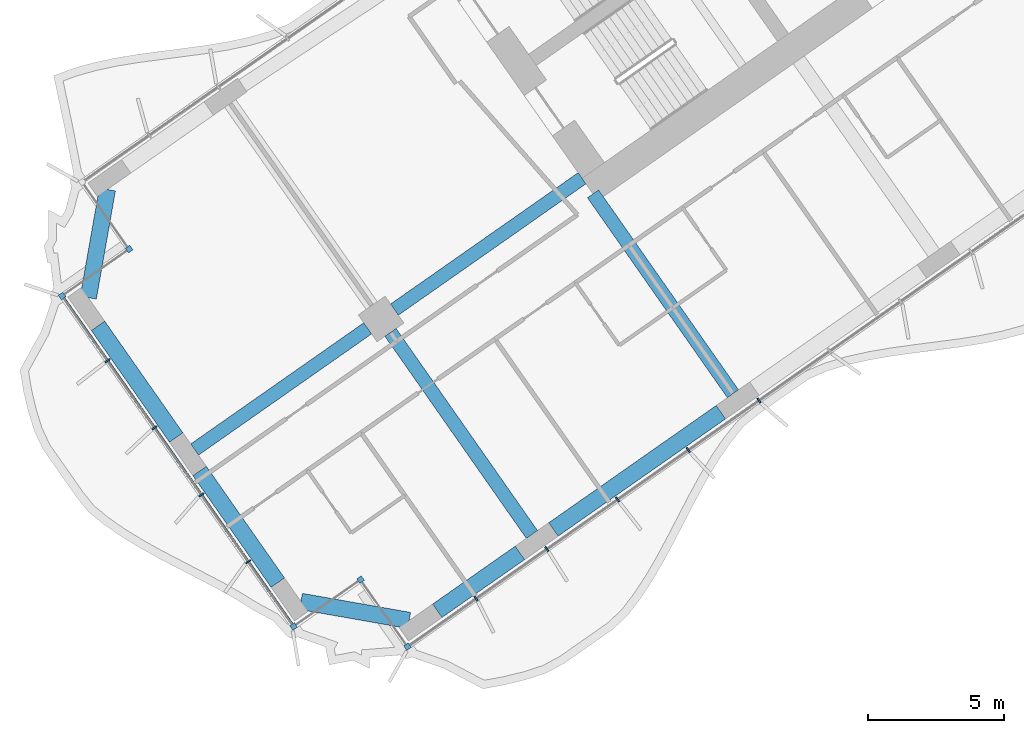
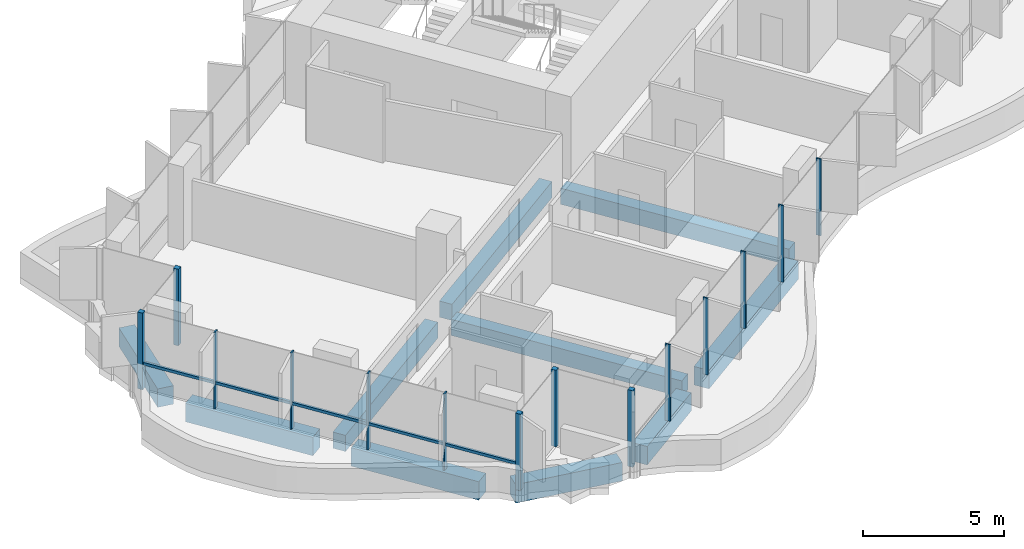
# One storey, part 2 of 23: 15 members, 10 beams, 1 element without a shape of its own.
"""IFC4 building model written with IfcOpenShell, lengths in metres."""

from ifc_helpers import new_model, si_unit, direction, frame, origin, origin_2d, place, context, subcontext, project, spatial, rectangle, extrude, material, material_profile, profile_set, type_object, element, aggregate, save


model = new_model("IFC4")

# Units and contexts
model_context = context("Model", 3, precision=1e-05, world=origin(), true_north=direction((0.0, 1.0)))
body_context = subcontext(model_context, "Body", "Model", "MODEL_VIEW")
ifc_project = project(units=[si_unit("LENGTHUNIT", "METRE"), si_unit("AREAUNIT", "SQUARE_METRE"), si_unit("VOLUMEUNIT", "CUBIC_METRE"), si_unit("PLANEANGLEUNIT", "RADIAN"), si_unit("MASSUNIT", "GRAM", prefix="KILO")], contexts=[model_context])

# Site, building, storey
site_placement = place(None, origin())
site = spatial("IfcSite", under=ifc_project, at=site_placement, CompositionType="ELEMENT")
building_placement = place(site_placement, origin())
building = spatial("IfcBuilding", under=site, at=building_placement, Name="Tel Ilan Convention Tower", CompositionType="ELEMENT")
storey_placement = place(building_placement, frame((0.0, 0.0, 115.699951171875)))
storey = spatial("IfcBuildingStorey", under=building, at=storey_placement, Name="L25", CompositionType="ELEMENT", Elevation=115.699951171875)

# Beams
ifc_material_1 = material(Name="Concrete C40/50", Category="concrete")
ifc_material_profile_1 = material_profile(ifc_material_1, rectangle(XDim=0.5, YDim=0.699951171875, at=origin_2d()), Name="RC 500x700")
ifc_profile_set_1 = profile_set([ifc_material_profile_1], Name="Concrete C40/50")
beam_type_1 = type_object("IfcBeamType", Name="Beam RC 500x700 Concrete C40/50", PredefinedType="BEAM", material=ifc_profile_set_1)
beam_1_placement = place(storey_placement, frame((-16.58203125, -23.391357421875, -0.6298828125), z_axis=(-0.573584999642, 0.819146048141, 0.0), x_axis=(-0.819146048141, -0.573584999642, 0.0)))
element("IfcBeam", 1, at=beam_1_placement, inside=storey, type_object=beam_type_1, Name="L25 beam W-W-F3-core", PredefinedType="BEAM", context=body_context, shape_type="SweptSolid", body=[
    extrude(rectangle(XDim=0.5, YDim=0.699951171875, at=origin_2d()), origin(), (0.0, 0.0, 1.0), 8.949951171875),
])
beam_2_placement = place(storey_placement, frame((-22.1171875, -15.486572265625, -0.6298828125), z_axis=(-0.819147254605, -0.573583276668, 0.0), x_axis=(0.573583276668, -0.819147254605, 0.0)))
element("IfcBeam", 2, at=beam_2_placement, inside=storey, type_object=beam_type_1, Name="L25 beam W-core-W-M4", PredefinedType="BEAM", context=body_context, shape_type="SweptSolid", body=[
    extrude(rectangle(XDim=0.5, YDim=0.699951171875, at=origin_2d()), origin(), (0.0, 0.0, 1.0), 8.400146484375),
])
beam_3_placement = place(storey_placement, frame((-29.98095703125, -20.992919921875, -0.6298828125), z_axis=(-0.819159394801, -0.573565938589, 0.0), x_axis=(0.573565938589, -0.819159394801, 0.0)))
element("IfcBeam", 3, at=beam_3_placement, inside=storey, type_object=beam_type_1, Name="L25 beam W-W-M4-end", PredefinedType="BEAM", context=body_context, shape_type="SweptSolid", body=[
    extrude(rectangle(XDim=0.5, YDim=0.699951171875, at=origin_2d()), origin(), (0.0, 0.0, 1.0), 7.75),
])
beam_4_placement = place(storey_placement, frame((-29.145263671875, -21.14013671875, -0.6298828125), z_axis=(0.573549245583, -0.819171082798, 0.0), x_axis=(0.819171082798, 0.573549245583, 0.0)))
element("IfcBeam", 4, at=beam_4_placement, inside=storey, type_object=beam_type_1, Name="L25 beam W-W-M4-W-F4", PredefinedType="BEAM", context=body_context, shape_type="SweptSolid", body=[
    extrude(rectangle(XDim=0.5, YDim=0.699951171875, at=origin_2d()), origin(), (0.0, 0.0, 1.0), 9.050048828125),
])
ifc_material_2 = material(Name="Concrete C40/50", Category="concrete")
ifc_material_profile_2 = material_profile(ifc_material_2, rectangle(XDim=0.60009765625, YDim=0.800048828125, at=origin_2d()), Name="RC 600x800")
ifc_profile_set_2 = profile_set([ifc_material_profile_2], Name="Concrete C40/50")
beam_type_2 = type_object("IfcBeamType", Name="Beam RC 600x800 Concrete C40/50", PredefinedType="BEAM", material=ifc_profile_set_2)
beam_5_placement = place(storey_placement, frame((-17.0244140625, -24.0673828125, -0.679931640625), z_axis=(-0.81915238829, -0.573575945067, 0.0), x_axis=(0.573575945067, -0.81915238829, 0.0)))
element("IfcBeam", 5, at=beam_5_placement, inside=storey, type_object=beam_type_2, Name="L25 beam W-W-F3-W-F4", PredefinedType="BEAM", context=body_context, shape_type="SweptSolid", body=[
    extrude(rectangle(XDim=0.60009765625, YDim=0.800048828125, at=origin_2d()), origin(), (0.0, 0.0, 1.0), 7.5),
])
beam_6_placement = place(storey_placement, frame((-24.396728515625, -29.2294921875, -0.679931640625), z_axis=(-0.819132709951, -0.573604047656, 0.0), x_axis=(0.573604047656, -0.819132709951, 0.0)))
element("IfcBeam", 6, at=beam_6_placement, inside=storey, type_object=beam_type_2, Name="L25 beam W-W-F4-W-FC", PredefinedType="BEAM", context=body_context, shape_type="SweptSolid", body=[
    extrude(rectangle(XDim=0.60009765625, YDim=0.800048828125, at=origin_2d()), origin(), (0.0, 0.0, 1.0), 3.699951171875),
])
beam_7_placement = place(storey_placement, frame((-28.459716796875, -31.708251953125, -0.679931640625), z_axis=(-0.984806721117, 0.173654029734, 0.0), x_axis=(-0.173654029734, -0.984806721117, 0.0)))
element("IfcBeam", 7, at=beam_7_placement, inside=storey, type_object=beam_type_2, Name="L25 beam W-W-FC-W-E1", PredefinedType="BEAM", context=body_context, shape_type="SweptSolid", body=[
    extrude(rectangle(XDim=0.60009765625, YDim=0.800048828125, at=origin_2d()), origin(), (0.0, 0.0, 1.0), 4.03076171875),
])
for number, where, z_axis, x_axis, name in (
    (8, (-33.277099609375, -30.3203125, -0.679931640625), (-0.573586866468, 0.819144740944, 0.0), (-0.819144740944, -0.573586866468, 0.0), "L25 beam W-W-E1-W-E2"),
    (9, (-37.00537109375, -24.995849609375, -0.679931640625), (-0.573586866468, 0.819144740944, 0.0), (-0.819144740944, -0.573586866468, 0.0), "L25 beam W-W-E2-W-E3"),
):
    element("IfcBeam", number, at=place(storey_placement, frame(where, z_axis=z_axis, x_axis=x_axis)), inside=storey, type_object=beam_type_2, Name=name, PredefinedType="BEAM", context=body_context, shape_type="SweptSolid", body=[
        extrude(rectangle(XDim=0.60009765625, YDim=0.800048828125, at=origin_2d()), origin(), (0.0, 0.0, 1.0), 5.0),
    ])
beam_8_placement = place(storey_placement, frame((-40.229736328125, -19.867919921875, -0.679931640625), z_axis=(0.173664388751, 0.984804894423, 0.0), x_axis=(-0.984804894423, 0.173664388751, 0.0)))
element("IfcBeam", 10, at=beam_8_placement, inside=storey, type_object=beam_type_2, Name="L25 beam W-W-E3-W-BC", PredefinedType="BEAM", context=body_context, shape_type="SweptSolid", body=[
    extrude(rectangle(XDim=0.60009765625, YDim=0.800048828125, at=origin_2d()), origin(), (0.0, 0.0, 1.0), 4.030517578125),
])

# Curtain wall, members
ifc_material_3 = material(Name="Aluminium, bronze anodised", Category="aluminium")
curtain_wall_type = type_object("IfcCurtainWallType", Name="CW1 UNITISED CURTAIN WALL, HOTEL TINTED GLASS", PredefinedType="NOTDEFINED", material=ifc_material_3)
curtain_wall_placement = place(storey_placement, origin())
curtain_wall = element("IfcCurtainWall", 11, at=curtain_wall_placement, inside=storey, type_object=curtain_wall_type, Name="Curtain wall CW1-20.02", PredefinedType="NOTDEFINED")
ifc_material_4 = material(Name="Aluminium, bronze anodised", Category="aluminium")
ifc_material_profile_3 = material_profile(ifc_material_4, rectangle(XDim=0.199951171875, YDim=0.199951171875, at=origin_2d()), Name="CW CORNER MULLION 200x200")
ifc_profile_set_3 = profile_set([ifc_material_profile_3], Name="Aluminium, bronze anodised")
member_type_1 = type_object("IfcMemberType", Name="CW CORNER MULLION 200x200", PredefinedType="MULLION", material=ifc_profile_set_3)
member_1_placement = place(storey_placement, frame((-38.730712890625, -18.0859375, 0.0), z_axis=(0.0, 0.0, 1.0), x_axis=(0.573576436351, -0.819152044289, 0.0)))
member_1 = element("IfcMember", 12, at=member_1_placement, type_object=member_type_1, Name="Corner mullion", PredefinedType="MULLION", context=body_context, shape_type="SweptSolid", body=[
    extrude(rectangle(XDim=0.199951171875, YDim=0.199951171875, at=origin_2d()), origin(), (0.0, 0.0, 1.0), 3.320068359375),
])
member_2_placement = place(storey_placement, frame((-41.188232421875, -19.806640625, 0.0), z_axis=(0.0, 0.0, 1.0), x_axis=(-0.819152044289, -0.573576436351, 0.0)))
member_2 = element("IfcMember", 13, at=member_2_placement, type_object=member_type_1, Name="Corner mullion", PredefinedType="MULLION", context=body_context, shape_type="SweptSolid", body=[
    extrude(rectangle(XDim=0.199951171875, YDim=0.199951171875, at=origin_2d()), origin(), (0.0, 0.0, 1.0), 3.320068359375),
])
member_3_placement = place(storey_placement, frame((-32.69921875, -31.929931640625, 0.0), z_axis=(0.0, 0.0, 1.0), x_axis=(0.573576436351, -0.819152044289, 0.0)))
member_3 = element("IfcMember", 14, at=member_3_placement, type_object=member_type_1, Name="Corner mullion", PredefinedType="MULLION", context=body_context, shape_type="SweptSolid", body=[
    extrude(rectangle(XDim=0.199951171875, YDim=0.199951171875, at=origin_2d()), origin(), (0.0, 0.0, 1.0), 3.320068359375),
])
member_4_placement = place(storey_placement, frame((-30.241943359375, -30.209228515625, 0.0), z_axis=(0.0, 0.0, 1.0), x_axis=(0.819152044289, 0.573576436351, 0.0)))
member_4 = element("IfcMember", 15, at=member_4_placement, type_object=member_type_1, Name="Corner mullion", PredefinedType="MULLION", context=body_context, shape_type="SweptSolid", body=[
    extrude(rectangle(XDim=0.199951171875, YDim=0.199951171875, at=origin_2d()), origin(), (0.0, 0.0, 1.0), 3.320068359375),
])
member_5_placement = place(storey_placement, frame((-28.52099609375, -32.666748046875, 0.0), z_axis=(0.0, 0.0, 1.0), x_axis=(0.573576436351, -0.819152044289, 0.0)))
member_5 = element("IfcMember", 16, at=member_5_placement, type_object=member_type_1, Name="Corner mullion", PredefinedType="MULLION", context=body_context, shape_type="SweptSolid", body=[
    extrude(rectangle(XDim=0.199951171875, YDim=0.199951171875, at=origin_2d()), origin(), (0.0, 0.0, 1.0), 3.320068359375),
])
ifc_material_5 = material(Name="Aluminium, bronze anodised", Category="aluminium")
ifc_material_profile_4 = material_profile(ifc_material_5, rectangle(XDim=0.06005859375, YDim=0.199951171875, at=origin_2d()), Name="CW MULLION 60x200")
ifc_profile_set_4 = profile_set([ifc_material_profile_4], Name="Aluminium, bronze anodised")
member_type_2 = type_object("IfcMemberType", Name="CW MULLION 60x200", PredefinedType="MULLION", material=ifc_profile_set_4)
member_6_placement = place(storey_placement, frame((-39.52490234375, -22.18212890625, 0.0), z_axis=(0.0, 0.0, 1.0), x_axis=(0.573576436351, -0.819152044289, 0.0)))
member_6 = element("IfcMember", 17, at=member_6_placement, type_object=member_type_2, Name="Mullion", PredefinedType="MULLION", context=body_context, shape_type="SweptSolid", body=[
    extrude(rectangle(XDim=0.06005859375, YDim=0.199951171875, at=origin_2d()), origin(), (0.0, 0.0, 1.0), 3.320068359375),
])
member_7_placement = place(storey_placement, frame((-37.80419921875, -24.6396484375, 0.0), z_axis=(0.0, 0.0, 1.0), x_axis=(0.573576436351, -0.819152044289, 0.0)))
member_7 = element("IfcMember", 18, at=member_7_placement, type_object=member_type_2, Name="Mullion", PredefinedType="MULLION", context=body_context, shape_type="SweptSolid", body=[
    extrude(rectangle(XDim=0.06005859375, YDim=0.199951171875, at=origin_2d()), origin(), (0.0, 0.0, 1.0), 3.320068359375),
])
member_8_placement = place(storey_placement, frame((-36.08349609375, -27.096923828125, 0.0), z_axis=(0.0, 0.0, 1.0), x_axis=(0.573576436351, -0.819152044289, 0.0)))
member_8 = element("IfcMember", 19, at=member_8_placement, type_object=member_type_2, Name="Mullion", PredefinedType="MULLION", context=body_context, shape_type="SweptSolid", body=[
    extrude(rectangle(XDim=0.06005859375, YDim=0.199951171875, at=origin_2d()), origin(), (0.0, 0.0, 1.0), 3.320068359375),
])
member_9_placement = place(storey_placement, frame((-34.362548828125, -29.554443359375, 0.0), z_axis=(0.0, 0.0, 1.0), x_axis=(0.573576436351, -0.819152044289, 0.0)))
member_9 = element("IfcMember", 20, at=member_9_placement, type_object=member_type_2, Name="Mullion", PredefinedType="MULLION", context=body_context, shape_type="SweptSolid", body=[
    extrude(rectangle(XDim=0.06005859375, YDim=0.199951171875, at=origin_2d()), origin(), (0.0, 0.0, 1.0), 3.320068359375),
])
member_10_placement = place(storey_placement, frame((-26.008056640625, -30.906982421875, 0.0), z_axis=(0.0, 0.0, 1.0), x_axis=(0.819152044289, 0.573576436351, 0.0)))
member_10 = element("IfcMember", 21, at=member_10_placement, type_object=member_type_2, Name="Mullion", PredefinedType="MULLION", context=body_context, shape_type="SweptSolid", body=[
    extrude(rectangle(XDim=0.06005859375, YDim=0.199951171875, at=origin_2d()), origin(), (0.0, 0.0, 1.0), 3.320068359375),
])
member_11_placement = place(storey_placement, frame((-23.412841796875, -29.08984375, 0.0), z_axis=(0.0, 0.0, 1.0), x_axis=(0.819152044289, 0.573576436351, 0.0)))
member_11 = element("IfcMember", 22, at=member_11_placement, type_object=member_type_2, Name="Mullion", PredefinedType="MULLION", context=body_context, shape_type="SweptSolid", body=[
    extrude(rectangle(XDim=0.06005859375, YDim=0.199951171875, at=origin_2d()), origin(), (0.0, 0.0, 1.0), 3.320068359375),
])
member_12_placement = place(storey_placement, frame((-20.81787109375, -27.27294921875, 0.0), z_axis=(0.0, 0.0, 1.0), x_axis=(0.819152044289, 0.573576436351, 0.0)))
member_12 = element("IfcMember", 23, at=member_12_placement, type_object=member_type_2, Name="Mullion", PredefinedType="MULLION", context=body_context, shape_type="SweptSolid", body=[
    extrude(rectangle(XDim=0.06005859375, YDim=0.199951171875, at=origin_2d()), origin(), (0.0, 0.0, 1.0), 3.320068359375),
])
member_13_placement = place(storey_placement, frame((-18.222900390625, -25.455810546875, 0.0), z_axis=(0.0, 0.0, 1.0), x_axis=(0.819152044289, 0.573576436351, 0.0)))
member_13 = element("IfcMember", 24, at=member_13_placement, type_object=member_type_2, Name="Mullion", PredefinedType="MULLION", context=body_context, shape_type="SweptSolid", body=[
    extrude(rectangle(XDim=0.06005859375, YDim=0.199951171875, at=origin_2d()), origin(), (0.0, 0.0, 1.0), 3.320068359375),
])
member_14_placement = place(storey_placement, frame((-15.627685546875, -23.638671875, 0.0), z_axis=(0.0, 0.0, 1.0), x_axis=(0.819152044289, 0.573576436351, 0.0)))
member_14 = element("IfcMember", 25, at=member_14_placement, type_object=member_type_2, Name="Mullion", PredefinedType="MULLION", context=body_context, shape_type="SweptSolid", body=[
    extrude(rectangle(XDim=0.06005859375, YDim=0.199951171875, at=origin_2d()), origin(), (0.0, 0.0, 1.0), 3.320068359375),
])
ifc_material_6 = material(Name="Aluminium, bronze anodised", Category="aluminium")
ifc_material_profile_5 = material_profile(ifc_material_6, rectangle(XDim=0.10009765625, YDim=0.1201171875, at=origin_2d()), Name="CW TRANSOM 100x120")
ifc_profile_set_5 = profile_set([ifc_material_profile_5], Name="Aluminium, bronze anodised")
member_type_3 = type_object("IfcMemberType", Name="CW TRANSOM 100x120", PredefinedType="USERDEFINED", material=ifc_profile_set_5)
member_15_placement = place(storey_placement, frame((-41.130859375, -19.888427734375, 1.10009765625), z_axis=(0.573575688231, -0.819152568128, 0.0), x_axis=(0.819152568128, 0.573575688231, 0.0)))
member_15 = element("IfcMember", 26, at=member_15_placement, type_object=member_type_3, Name="Transom", ObjectType="TRANSOM", PredefinedType="USERDEFINED", context=body_context, shape_type="SweptSolid", body=[
    extrude(rectangle(XDim=0.10009765625, YDim=0.1201171875, at=origin_2d()), origin(), (0.0, 0.0, 1.0), 14.60009765625),
])
aggregate(curtain_wall, [member_1, member_2, member_6, member_7, member_8, member_9, member_3, member_15, member_4, member_5, member_10, member_11, member_12, member_13, member_14])

save(model, "model.ifc")
